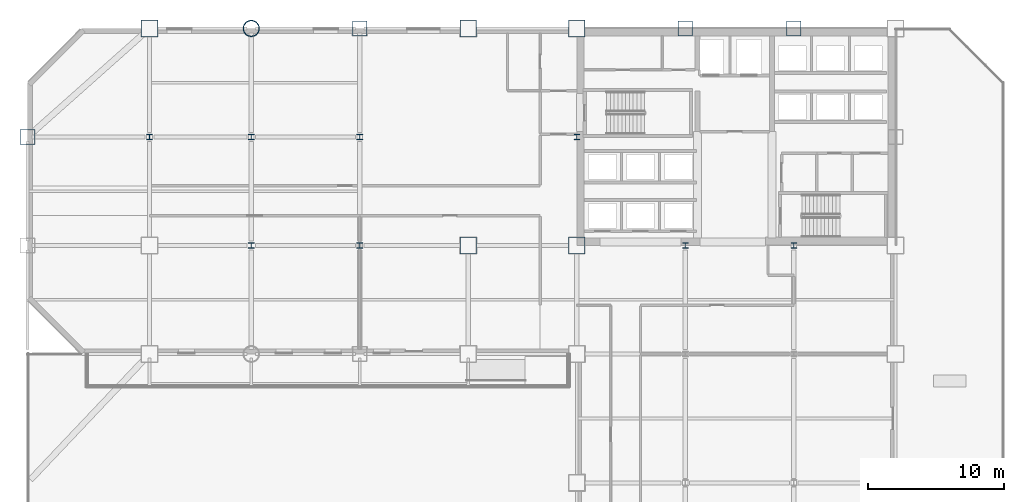
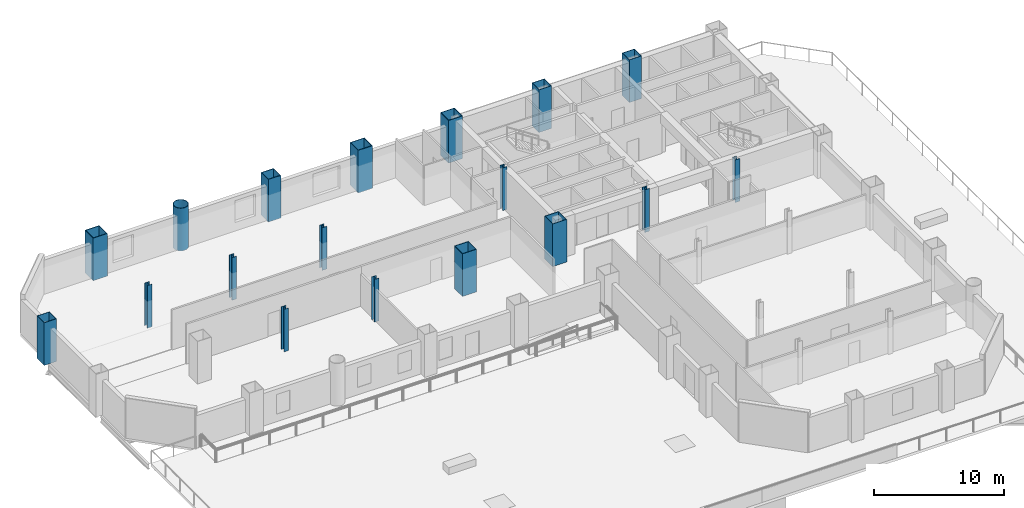
# One storey, part 2 of 11: 18 columns.
"""IFC4 building model written with IfcOpenShell, lengths in metres."""

import ifcopenshell
import ifcopenshell.guid

model = None  # the IFC model being written
_history = None  # IfcOwnerHistory: only IFC2X3 demands one
_inside = {}  # id of a spatial element -> (the spatial element, [elements in it])
_under = {}  # id of a project, library or spatial element -> (it, [spatial elements below it])
_declared = {}  # id of a project -> (the project, [libraries it declares])
_typed = {}  # id of a type object -> (the type object, [elements of that type])
_made_of = {}  # id of a material, layer set ... -> (it, [elements and type objects made of it])


def new_model(schema):
    """Start an empty IFC model of exactly this schema.

    Asked for "IFC4X3", IfcOpenShell would pick the latest addendum, in which some entities
    have other attributes; the version numbers below select the first issue.
    IFC2X3 requires an IfcOwnerHistory on every rooted entity: one is made here for all.
    """
    global model, _history
    if schema == "IFC4X3":
        model = ifcopenshell.file(schema_version=(4, 3, 0, 0))
    else:
        model = ifcopenshell.file(schema=schema)
    _inside.clear()
    _under.clear()
    _declared.clear()
    _typed.clear()
    _made_of.clear()
    _history = None
    if model.schema == "IFC2X3":
        org = make("IfcOrganization", Name="unknown")
        user = make(
            "IfcPersonAndOrganization",
            ThePerson=make("IfcPerson", FamilyName="unknown"),
            TheOrganization=org,
        )
        app = make(
            "IfcApplication",
            ApplicationDeveloper=org,
            Version="unknown",
            ApplicationFullName="unknown",
            ApplicationIdentifier="unknown",
        )
        _history = make(
            "IfcOwnerHistory",
            OwningUser=user,
            OwningApplication=app,
            ChangeAction="ADDED",
            CreationDate=0,
        )
    return model


def make(cls, **values):
    """One entity of the class cls with the attributes given. An attribute that is None is left unset."""
    return model.create_entity(
        cls, **{name: value for name, value in values.items() if value is not None}
    )


def rooted(cls, **values):
    """An entity with a GlobalId (a new one), such as an element, a storey or a relation."""
    return make(cls, GlobalId=ifcopenshell.guid.new(), OwnerHistory=_history, **values)


def si_unit(unit_type, name, prefix=None):
    """IfcSIUnit, for example si_unit("LENGTHUNIT", "METRE", prefix="MILLI")."""
    return make("IfcSIUnit", UnitType=unit_type, Prefix=prefix, Name=name)


def assignment(units):
    """IfcUnitAssignment: the units of a project."""
    return None if units is None else make("IfcUnitAssignment", Units=units)


def point(xyz):
    """IfcCartesianPoint."""
    return None if xyz is None else make("IfcCartesianPoint", Coordinates=xyz)


def direction(xyz):
    """IfcDirection."""
    return None if xyz is None else make("IfcDirection", DirectionRatios=xyz)


def frame(location, z_axis=None, x_axis=None):
    """IfcAxis2Placement3D, a coordinate frame: its origin and axes. An axis left out is left unset."""
    return make(
        "IfcAxis2Placement3D",
        Location=point(location),
        Axis=direction(z_axis),
        RefDirection=direction(x_axis),
    )


def frame_2d(location, x_axis=None):
    """IfcAxis2Placement2D, a coordinate frame in the plane: its origin and x axis."""
    return make(
        "IfcAxis2Placement2D", Location=point(location), RefDirection=direction(x_axis)
    )


def origin():
    """The frame at (0, 0, 0) with its axes left unset."""
    return frame((0.0, 0.0, 0.0))


def origin_2d():
    """The frame at (0, 0) in the plane with its x axis left unset."""
    return frame_2d((0.0, 0.0))


def place(relative_to, where):
    """IfcLocalPlacement: puts the frame where relative to a parent placement (None: the world)."""
    return make(
        "IfcLocalPlacement", PlacementRelTo=relative_to, RelativePlacement=where
    )


def context(
    kind, dimensions, precision=None, world=None, true_north=None, identifier=None
):
    """IfcGeometricRepresentationContext, for example the 3D "Model" context."""
    return make(
        "IfcGeometricRepresentationContext",
        ContextIdentifier=identifier,
        ContextType=kind,
        CoordinateSpaceDimension=dimensions,
        Precision=precision,
        WorldCoordinateSystem=world,
        TrueNorth=true_north,
    )


def subcontext(parent, identifier, kind, view, scale=None):
    """IfcGeometricRepresentationSubContext, for example "Body" below "Model"."""
    return make(
        "IfcGeometricRepresentationSubContext",
        ContextIdentifier=identifier,
        ContextType=kind,
        ParentContext=parent,
        TargetScale=scale,
        TargetView=view,
    )


def project(units=None, contexts=None):
    """IfcProject with its units and contexts."""
    return rooted(
        "IfcProject",
        Name="project",
        RepresentationContexts=contexts,
        UnitsInContext=assignment(units),
    )


def spatial(cls, under=None, at=None, **own):
    """A site, building, storey or space (cls), placed at a placement, below another one or the project."""
    s = rooted(cls, ObjectPlacement=at, **own)
    if under is not None:
        _under.setdefault(under.id(), (under, []))[1].append(s)
    return s


def profile(cls, at=None, kind="AREA", **sizes):
    """A parametric profile (cls). Its sizes go by their IFC names, for example OverallWidth=200.0."""
    return make(cls, ProfileType=kind, Position=at, **sizes)


def hollow_rectangle(**sizes):
    """IfcRectangleHollowProfileDef."""
    return profile("IfcRectangleHollowProfileDef", **sizes)


def hollow_circle(**sizes):
    """IfcCircleHollowProfileDef."""
    return profile("IfcCircleHollowProfileDef", **sizes)


def i_section(**sizes):
    """IfcIShapeProfileDef."""
    return profile("IfcIShapeProfileDef", **sizes)


def extrude(swept, where, along, depth):
    """IfcExtrudedAreaSolid: the profile swept, set in the frame where, extruded along a direction by depth."""
    return make(
        "IfcExtrudedAreaSolid",
        SweptArea=swept,
        Position=where,
        ExtrudedDirection=direction(along),
        Depth=depth,
    )


def shape(context_of_items, identifier, shape_type, items):
    """IfcShapeRepresentation: the items that make up one representation, for example the "Body"."""
    return make(
        "IfcShapeRepresentation",
        ContextOfItems=context_of_items,
        RepresentationIdentifier=identifier,
        RepresentationType=shape_type,
        Items=items,
    )


def material(Name=None, Category=None):
    """IfcMaterial."""
    return make("IfcMaterial", Name=Name, Category=Category)


def material_profile(
    of_material, cross_section, Name=None, Category=None, Priority=None
):
    """IfcMaterialProfile: a cross section and its material."""
    return make(
        "IfcMaterialProfile",
        Name=Name,
        Material=of_material,
        Profile=cross_section,
        Priority=Priority,
        Category=Category,
    )


def profile_set(profiles, Name=None, composite=None):
    """IfcMaterialProfileSet."""
    return make(
        "IfcMaterialProfileSet",
        Name=Name,
        MaterialProfiles=profiles,
        CompositeProfile=composite,
    )


def made_of(thing, what):
    """Note that an element or type object is made of a material, layer set ...; save() writes the relation."""
    if what is not None:
        _made_of.setdefault(what.id(), (what, []))[1].append(thing)
    return thing


def type_object(cls, material=None, **own):
    """A type object (cls), such as IfcWallType, which elements share."""
    return made_of(rooted(cls, **own), material)


def element(
    cls,
    number,
    at=None,
    inside=None,
    cuts=None,
    type_object=None,
    material=None,
    context=None,
    identifier="Body",
    shape_type=None,
    held_by="IfcProductDefinitionShape",
    body=None,
    shapes=None,
    **own,
):
    """One element of the class cls, such as IfcWall. Its Tag is "e" and its number.

    at: its placement. inside: the storey or other place that contains it. cuts: it is an
    opening in that element (IfcRelVoidsElement). A single representation is given by context,
    identifier, shape_type and body (its items); several are given by shapes. held_by: the class
    of the entity that holds the representations. save() writes the other relations.
    """
    e = rooted(cls, Tag="e%d" % number, ObjectPlacement=at, **own)
    if body is not None:
        shapes = [shape(context, identifier, shape_type, body)]
    if shapes is not None:
        e.Representation = make(held_by, Representations=shapes)
    if inside is not None:
        _inside.setdefault(inside.id(), (inside, []))[1].append(e)
    if cuts is not None:
        rooted(
            "IfcRelVoidsElement", RelatingBuildingElement=cuts, RelatedOpeningElement=e
        )
    if type_object is not None:
        _typed.setdefault(type_object.id(), (type_object, []))[1].append(e)
    return made_of(e, material)


def aggregate(whole, parts):
    """IfcRelAggregates: a whole, such as a stair, and the parts it consists of."""
    return rooted("IfcRelAggregates", RelatingObject=whole, RelatedObjects=parts)


def save(model, path):
    """Write the relations noted so far, then the file.

    IfcRelAggregates (storeys below a building ...), IfcRelContainedInSpatialStructure (elements
    in a storey), IfcRelDefinesByType, IfcRelAssociatesMaterial and IfcRelDeclares: one each for
    every whole, place, type object, material and project.
    """
    for whole, parts in _under.values():
        aggregate(whole, parts)
    for where, things in _inside.values():
        rooted(
            "IfcRelContainedInSpatialStructure",
            RelatedElements=things,
            RelatingStructure=where,
        )
    for kind, things in _typed.values():
        rooted("IfcRelDefinesByType", RelatedObjects=things, RelatingType=kind)
    for what, things in _made_of.values():
        rooted("IfcRelAssociatesMaterial", RelatedObjects=things, RelatingMaterial=what)
    for by, libraries in _declared.values():
        rooted("IfcRelDeclares", RelatingContext=by, RelatedDefinitions=libraries)
    model.write(path)


model = new_model("IFC4")

# Units and contexts
model_context = context("Model", 3, precision=1e-05, world=origin(), true_north=direction((0.0, 1.0)))
body_context = subcontext(model_context, "Body", "Model", "MODEL_VIEW")
ifc_project = project(units=[si_unit("LENGTHUNIT", "METRE"), si_unit("AREAUNIT", "SQUARE_METRE"), si_unit("VOLUMEUNIT", "CUBIC_METRE"), si_unit("PLANEANGLEUNIT", "RADIAN"), si_unit("MASSUNIT", "GRAM", prefix="KILO")], contexts=[model_context])

# Site, building, storey
site_placement = place(None, origin())
site = spatial("IfcSite", under=ifc_project, at=site_placement, CompositionType="ELEMENT")
building_placement = place(site_placement, origin())
building = spatial("IfcBuilding", under=site, at=building_placement, Name="Qianrong Seaharbour Tower", CompositionType="ELEMENT")
storey_placement = place(building_placement, frame((0.0, 0.0, 28.199951171875)))
storey = spatial("IfcBuildingStorey", under=building, at=storey_placement, Name="L06", CompositionType="ELEMENT", Elevation=28.199951171875)

# Columns
ifc_material = material(Name="Structural steel SN490B", Category="steel")
ifc_material_profile_1 = material_profile(ifc_material, hollow_rectangle(XDim=1.25, YDim=1.25, WallThickness=0.044921875, at=origin_2d()), Name="BOX1250x1250x45")
ifc_profile_set_1 = profile_set([ifc_material_profile_1], Name="Structural steel SN490B")
column_type_1 = type_object("IfcColumnType", Name="COL-CFT-1250", PredefinedType="COLUMN", material=ifc_profile_set_1)
for number, where, z_axis, x_axis, name in (
    (1, (9.0, 52.0, 0.0), (0.0, 0.0, 1.0), (1.0, 0.0, 0.0), "L06 Column MC-2 at G2/GH"),
    (2, (32.5, 36.0, 0.0), (0.0, 0.0, 1.0), (1.0, 0.0, 0.0), "L06 Column MC-2 at G5/GF"),
    (3, (32.5, 52.0, 0.0), (0.0, 0.0, 1.0), (1.0, 0.0, 0.0), "L06 Column MC-2 at G5/GH"),
    (4, (40.5, 36.0, 0.0), (0.0, 0.0, 1.0), (1.0, 0.0, 0.0), "L06 Column MC-2 at G6/GF"),
    (5, (40.5, 52.0, 0.0), (0.0, 0.0, 1.0), (1.0, 0.0, 0.0), "L06 Column MC-2 at G6/GH"),
):
    element("IfcColumn", number, at=place(storey_placement, frame(where, z_axis=z_axis, x_axis=x_axis)), inside=storey, type_object=column_type_1, Name=name, PredefinedType="COLUMN", context=body_context, shape_type="SweptSolid", body=[
        extrude(hollow_rectangle(XDim=1.25, YDim=1.25, WallThickness=0.044921875, at=origin_2d()), origin(), (0.0, 0.0, 1.0), 4.0),
    ])
ifc_material_profile_2 = material_profile(ifc_material, hollow_circle(Radius=0.60009765625, WallThickness=0.0400390625, at=origin_2d()), Name="CHS1200x40")
ifc_profile_set_2 = profile_set([ifc_material_profile_2], Name="Structural steel SN490B")
column_type_2 = type_object("IfcColumnType", Name="COL-CHS-1200", PredefinedType="COLUMN", material=ifc_profile_set_2)
column_placement = place(storey_placement, frame((16.5, 52.0, 0.0), z_axis=(0.0, 0.0, 1.0), x_axis=(1.0, 0.0, 0.0)))
element("IfcColumn", 6, at=column_placement, inside=storey, type_object=column_type_2, Name="L06 Column CC-1 at G3/GH", PredefinedType="COLUMN", context=body_context, shape_type="SweptSolid", body=[
    extrude(hollow_circle(Radius=0.60009765625, WallThickness=0.0400390625, at=origin_2d()), origin(), (0.0, 0.0, 1.0), 4.0),
])
ifc_material_profile_3 = material_profile(ifc_material, i_section(OverallWidth=0.406982421875, OverallDepth=0.427978515625, WebThickness=0.02001953125, FlangeThickness=0.034912109375, FilletRadius=0.02197265625, at=origin_2d()), Name="H428x407x20x35")
ifc_profile_set_3 = profile_set([ifc_material_profile_3], Name="Structural steel SN490B")
column_type_3 = type_object("IfcColumnType", Name="COL-INT-H428", PredefinedType="COLUMN", material=ifc_profile_set_3)
for number, where, z_axis, x_axis, name in (
    (7, (9.0, 44.0, 0.0), (0.0, 0.0, 1.0), (1.0, 0.0, 0.0), "L06 Column IC-2 at G2/GG"),
    (8, (16.5, 36.0, 0.0), (0.0, 0.0, 1.0), (1.0, 0.0, 0.0), "L06 Column IC-2 at G3/GF"),
    (9, (16.5, 44.0, 0.0), (0.0, 0.0, 1.0), (1.0, 0.0, 0.0), "L06 Column IC-2 at G3/GG"),
    (10, (24.5, 36.0, 0.0), (0.0, 0.0, 1.0), (1.0, 0.0, 0.0), "L06 Column IC-2 at G4/GF"),
    (11, (24.5, 44.0, 0.0), (0.0, 0.0, 1.0), (1.0, 0.0, 0.0), "L06 Column IC-2 at G4/GG"),
    (12, (40.5, 44.0, 0.0), (0.0, 0.0, 1.0), (1.0, 0.0, 0.0), "L06 Column IC-2 at G6/GG"),
    (13, (48.5, 36.0, 0.0), (0.0, 0.0, 1.0), (1.0, 0.0, 0.0), "L06 Column IC-2 at G7/GF"),
    (14, (56.5, 36.0, 0.0), (0.0, 0.0, 1.0), (1.0, 0.0, 0.0), "L06 Column IC-2 at G8/GF"),
):
    element("IfcColumn", number, at=place(storey_placement, frame(where, z_axis=z_axis, x_axis=x_axis)), inside=storey, type_object=column_type_3, Name=name, PredefinedType="COLUMN", context=body_context, shape_type="SweptSolid", body=[
        extrude(i_section(OverallWidth=0.406982421875, OverallDepth=0.427978515625, WebThickness=0.02001953125, FlangeThickness=0.034912109375, FilletRadius=0.02197265625, at=origin_2d()), origin(), (0.0, 0.0, 1.0), 4.0),
    ])
ifc_material_profile_4 = material_profile(ifc_material, hollow_rectangle(XDim=1.10009765625, YDim=1.10009765625, WallThickness=0.0400390625, at=origin_2d()), Name="BOX1100x1100x40")
ifc_profile_set_4 = profile_set([ifc_material_profile_4], Name="Structural steel SN490B")
column_type_4 = type_object("IfcColumnType", Name="COL-PER-1100", PredefinedType="COLUMN", material=ifc_profile_set_4)
for number, where, z_axis, x_axis, name in (
    (15, (0.0, 44.0, 0.0), (0.0, 0.0, 1.0), (1.0, 0.0, 0.0), "L06 Column PC-1 at G1/GG"),
    (16, (24.5, 52.0, 0.0), (0.0, 0.0, 1.0), (1.0, 0.0, 0.0), "L06 Column PC-1 at G4/GH"),
    (17, (48.5, 52.0, 0.0), (0.0, 0.0, 1.0), (1.0, 0.0, 0.0), "L06 Column PC-1 at G7/GH"),
    (18, (56.5, 52.0, 0.0), (0.0, 0.0, 1.0), (1.0, 0.0, 0.0), "L06 Column PC-1 at G8/GH"),
):
    element("IfcColumn", number, at=place(storey_placement, frame(where, z_axis=z_axis, x_axis=x_axis)), inside=storey, type_object=column_type_4, Name=name, PredefinedType="COLUMN", context=body_context, shape_type="SweptSolid", body=[
        extrude(hollow_rectangle(XDim=1.10009765625, YDim=1.10009765625, WallThickness=0.0400390625, at=origin_2d()), origin(), (0.0, 0.0, 1.0), 4.0),
    ])

save(model, "model.ifc")
